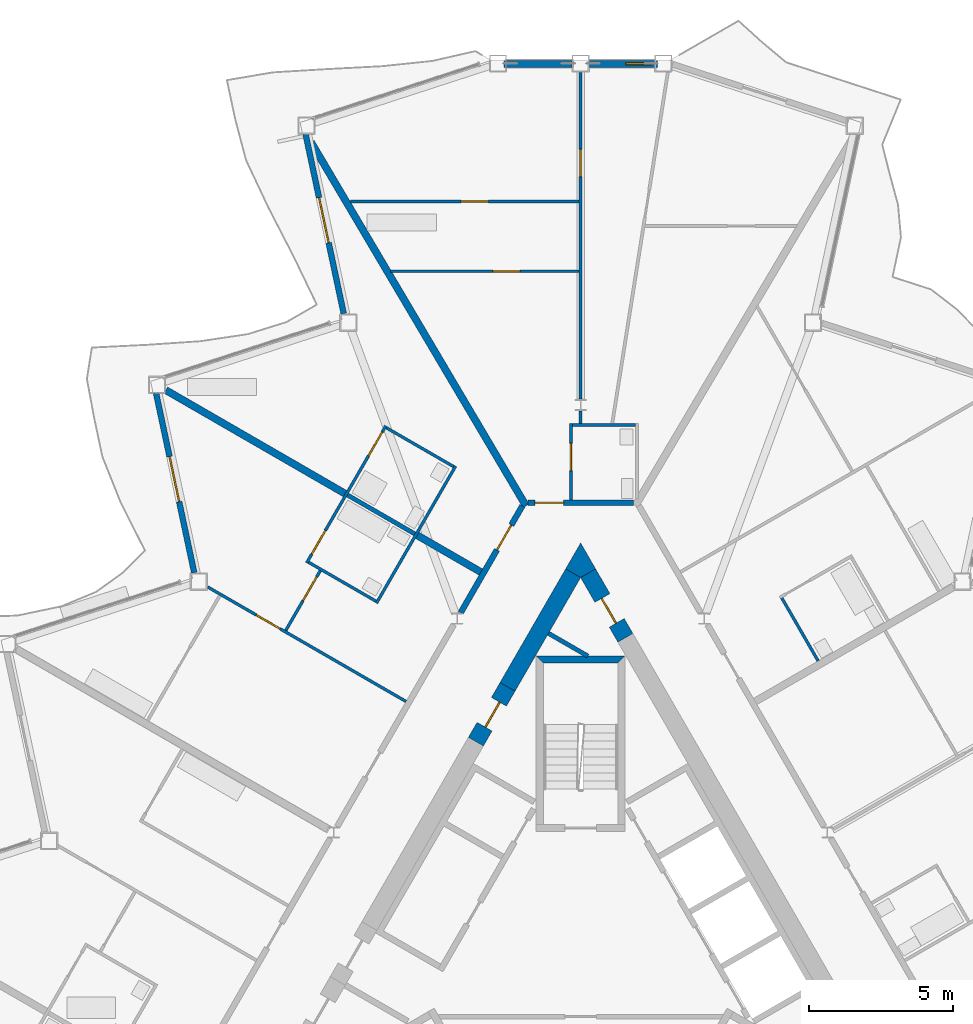
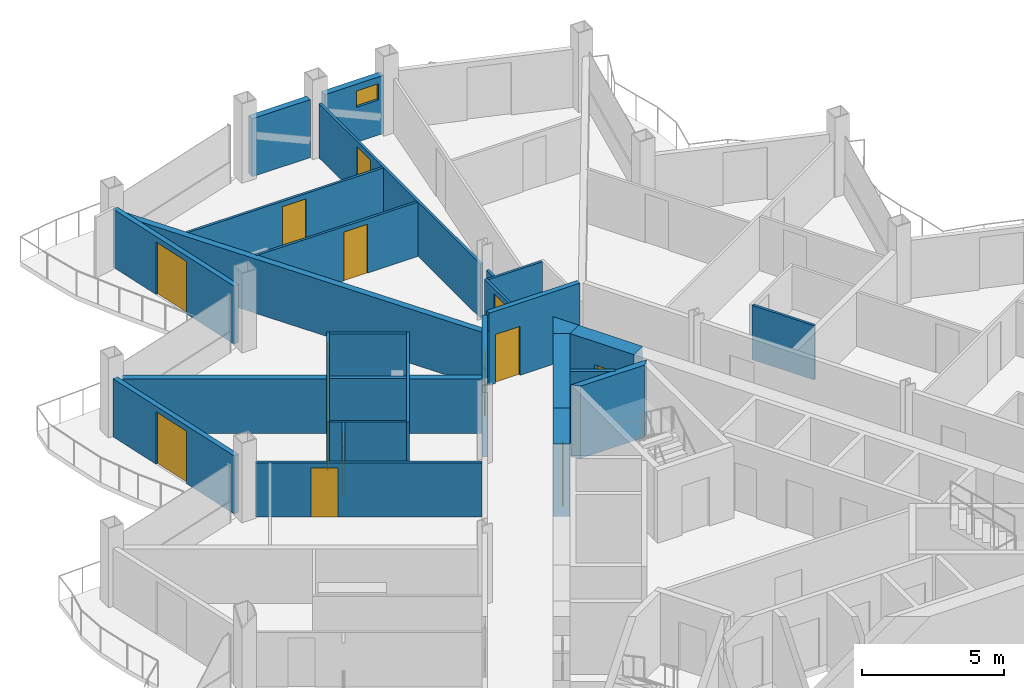
# One storey, part 18 of 27: 29 walls, 14 doors, 1 window, 15 openings.
"""IFC4 building model written with IfcOpenShell, lengths in metres."""

from ifc_helpers import new_model, si_unit, direction, frame, frame_2d, origin, place, context, subcontext, project, spatial, polyline, rectangle, outline, extrude, material, layer, layer_set, type_object, element, fill, save


model = new_model("IFC4")

# Units and contexts
model_context = context("Model", 3, precision=1e-05, world=origin(), true_north=direction((0.0, 1.0)))
body_context = subcontext(model_context, "Body", "Model", "MODEL_VIEW")
ifc_project = project(units=[si_unit("LENGTHUNIT", "METRE"), si_unit("AREAUNIT", "SQUARE_METRE"), si_unit("VOLUMEUNIT", "CUBIC_METRE"), si_unit("PLANEANGLEUNIT", "RADIAN"), si_unit("MASSUNIT", "GRAM", prefix="KILO")], contexts=[model_context])

# Site, building, storey
site_placement = place(None, origin())
site = spatial("IfcSite", under=ifc_project, at=site_placement, CompositionType="ELEMENT")
building_placement = place(site_placement, origin())
building = spatial("IfcBuilding", under=site, at=building_placement, Name="Cormorant Prow Tower", CompositionType="ELEMENT")
storey_placement = place(building_placement, frame((0.0, 0.0, 332.39990234375)))
storey = spatial("IfcBuildingStorey", under=building, at=storey_placement, Name="L74", CompositionType="ELEMENT", Elevation=332.39990234375)

# Walls
ifc_material_1 = material(Name="Gypsum board partition")
ifc_layer_1 = layer(ifc_material_1, 0.14990234375)
ifc_layer_set_1 = layer_set([ifc_layer_1], Name="Gypsum board partition")
wall_type_1 = type_object("IfcWallType", Name="Core partition 150", PredefinedType="PARTITIONING", material=ifc_layer_set_1)
wall_1_placement = place(storey_placement, frame((-1.119140625, 11.872802734375, 0.0), z_axis=(0.0, 0.0, 1.0), x_axis=(0.865992812752, -0.500056445075, 0.0)))
element("IfcWall", 1, at=wall_1_placement, inside=storey, type_object=wall_type_1, Name="Service room partition", PredefinedType="PARTITIONING", context=body_context, shape_type="SweptSolid", body=[
    extrude(rectangle(XDim=1.581787109375, YDim=0.14990234375, at=frame_2d((0.791015625, 0.0))), origin(), (0.0, 0.0, 1.0), 3.10009765625),
])
ifc_material_2 = material(Name="Concrete 8000 psi", Category="concrete")
ifc_layer_2 = layer(ifc_material_2, 0.60009765625)
ifc_layer_set_2 = layer_set([ifc_layer_2], Name="Concrete 8000 psi")
wall_type_2 = type_object("IfcWallType", Name="Core shear wall 600", PredefinedType="SHEAR", material=ifc_layer_set_2)
wall_2_placement = place(storey_placement, frame((-0.259765625, 13.961181640625, 0.0), z_axis=(0.0, 0.0, 1.0), x_axis=(-0.499980485389, -0.866036670257, 0.0)))
element("IfcWall", 2, at=wall_2_placement, inside=storey, type_object=wall_type_2, Name="Core wall", PredefinedType="SHEAR", context=body_context, shape_type="SweptSolid", body=[
    extrude(rectangle(XDim=4.559326171875, YDim=0.60009765625, at=frame_2d((2.27978515625, 0.0))), origin(), (0.0, 0.0, 1.0), 3.10009765625),
])
wall_3_placement = place(storey_placement, origin())
element("IfcWall", 3, at=wall_3_placement, inside=storey, type_object=wall_type_2, Name="Core wall corner", PredefinedType="SHEAR", context=body_context, shape_type="SweptSolid", body=[
    extrude(outline(polyline([(-0.51953125, 14.111083984375), (0.0, 15.010986328125), (0.51953125, 14.111083984375), (0.0, 13.81103515625), (-0.51953125, 14.111083984375)])), origin(), (0.0, 0.0, 1.0), 3.10009765625),
])

# Wall, opening, door
wall_4_placement = place(storey_placement, frame((-2.539306640625, 10.0126953125, 0.0), z_axis=(0.0, 0.0, 1.0), x_axis=(-0.50002983664, -0.866008176907, 0.0)))
wall_4 = element("IfcWall", 4, at=wall_4_placement, inside=storey, type_object=wall_type_2, Name="Core wall door panel", PredefinedType="SHEAR", context=body_context, shape_type="SweptSolid", body=[
    extrude(rectangle(XDim=2.199951171875, YDim=0.60009765625, at=frame_2d((1.10009765625, 0.0))), origin(), (0.0, 0.0, 1.0), 3.10009765625),
])
opening_1_placement = place(wall_4_placement, frame((0.60009765625, 0.0, 0.0)))
opening_1 = element("IfcOpeningElement", 5, at=opening_1_placement, cuts=wall_4, Name="Opening L74-C19", PredefinedType="OPENING", context=body_context, shape_type="SweptSolid", body=[
    extrude(rectangle(XDim=1.0, YDim=2.10009765625, at=frame_2d((0.5, 1.050048828125))), frame((0.0, 0.31005859375, 0.0), z_axis=(0.0, -1.0, 0.0), x_axis=(1.0, 0.0, 0.0)), (0.0, 0.0, 1.0), 0.6201171875),
])
ifc_material_3 = material(Name="Painted steel", Category="steel")
door_type_1 = type_object("IfcDoorType", Name="Service door 1000x2100", OperationType="NOTDEFINED", PredefinedType="DOOR", material=ifc_material_3)
door_1_placement = place(opening_1_placement, origin())
door_1 = element("IfcDoor", 6, at=door_1_placement, inside=storey, type_object=door_type_1, Name="Core door, Telecom room", OperationType="SINGLE_SWING_LEFT", OverallHeight=2.10009765625, OverallWidth=1.0, PredefinedType="DOOR", context=body_context, shape_type="SweptSolid", body=[
    extrude(rectangle(XDim=1.0, YDim=2.10009765625, at=frame_2d((0.5, 1.050048828125))), frame((0.0, 0.05517578125, 0.0), z_axis=(0.0, -1.0, 0.0), x_axis=(1.0, 0.0, 0.0)), (0.0, 0.0, 1.0), 0.050048828125),
])
fill(opening_1, door_1)

wall_5_placement = place(storey_placement, frame((1.555908203125, 11.71630859375, 0.0), z_axis=(0.0, 0.0, 1.0), x_axis=(-0.500018667571, 0.866014625789, 0.0)))
wall_5 = element("IfcWall", 7, at=wall_5_placement, inside=storey, type_object=wall_type_2, Name="Core wall door panel", PredefinedType="SHEAR", context=body_context, shape_type="SweptSolid", body=[
    extrude(rectangle(XDim=2.59228515625, YDim=0.60009765625, at=frame_2d((1.296142578125, 0.0))), origin(), (0.0, 0.0, 1.0), 3.10009765625),
])
opening_2_placement = place(wall_5_placement, frame((0.60009765625, 0.0, 0.0)))
opening_2 = element("IfcOpeningElement", 8, at=opening_2_placement, cuts=wall_5, Name="Opening L74-C20", PredefinedType="OPENING", context=body_context, shape_type="SweptSolid", body=[
    extrude(rectangle(XDim=1.0, YDim=2.10009765625, at=frame_2d((0.5, 1.050048828125))), frame((0.0, 0.31005859375, 0.0), z_axis=(0.0, -1.0, 0.0), x_axis=(1.0, 0.0, 0.0)), (0.0, 0.0, 1.0), 0.6201171875),
])
door_2_placement = place(opening_2_placement, origin())
door_2 = element("IfcDoor", 9, at=door_2_placement, inside=storey, type_object=door_type_1, Name="Core door, Pantry store", OperationType="SINGLE_SWING_RIGHT", OverallHeight=2.10009765625, OverallWidth=1.0, PredefinedType="DOOR", context=body_context, shape_type="SweptSolid", body=[
    extrude(rectangle(XDim=1.0, YDim=2.10009765625, at=frame_2d((0.5, 1.050048828125))), frame((0.0, 0.05517578125, 0.0), z_axis=(0.0, -1.0, 0.0), x_axis=(1.0, 0.0, 0.0)), (0.0, 0.0, 1.0), 0.050048828125),
])
fill(opening_2, door_2)

ifc_material_4 = material(Name="Gypsum board corridor wall")
ifc_layer_3 = layer(ifc_material_4, 0.199951171875)
ifc_layer_set_3 = layer_set([ifc_layer_3], Name="Gypsum board corridor wall")
wall_type_3 = type_object("IfcWallType", Name="Corridor wall 200", PredefinedType="PARTITIONING", material=ifc_layer_set_3)
wall_6_placement = place(storey_placement, frame((-4.169189453125, 12.589599609375, 0.0), z_axis=(0.0, 0.0, 1.0), x_axis=(0.499978750566, 0.866037671803, 0.0)))
wall_6 = element("IfcWall", 10, at=wall_6_placement, inside=storey, type_object=wall_type_3, Name="Corridor wall", PredefinedType="PARTITIONING", context=body_context, shape_type="SweptSolid", body=[
    extrude(rectangle(XDim=4.287841796875, YDim=0.199951171875, at=frame_2d((2.14404296875, 0.0))), origin(), (0.0, 0.0, 1.0), 3.10009765625),
])
opening_3_placement = place(wall_6_placement, frame((2.521484375, 0.0, 0.0)))
opening_3 = element("IfcOpeningElement", 11, at=opening_3_placement, cuts=wall_6, Name="Opening L74-F44", PredefinedType="OPENING", context=body_context, shape_type="SweptSolid", body=[
    extrude(rectangle(XDim=1.0, YDim=2.10009765625, at=frame_2d((0.5, 1.050048828125))), frame((0.0, 0.10986328125, 0.0), z_axis=(0.0, -1.0, 0.0), x_axis=(1.0, 0.0, 0.0)), (0.0, 0.0, 1.0), 0.219970703125),
])
ifc_material_5 = material(Name="Timber door leaf", Category="wood")
door_type_2 = type_object("IfcDoorType", Name="Flat or room entrance door 1000x2100", OperationType="NOTDEFINED", PredefinedType="DOOR", material=ifc_material_5)
door_3_placement = place(opening_3_placement, origin())
door_3 = element("IfcDoor", 12, at=door_3_placement, inside=storey, type_object=door_type_2, Name="Studio living, kitchen and sleeping room door", OperationType="SINGLE_SWING_LEFT", OverallHeight=2.10009765625, OverallWidth=1.0, PredefinedType="DOOR", context=body_context, shape_type="SweptSolid", body=[
    extrude(rectangle(XDim=1.0, YDim=2.10009765625, at=frame_2d((0.5, 1.050048828125))), frame((0.0, 0.02490234375, 0.0), z_axis=(0.0, -1.0, 0.0), x_axis=(1.0, 0.0, 0.0)), (0.0, 0.0, 1.0), 0.050048828125),
])
fill(opening_3, door_3)

wall_7_placement = place(storey_placement, frame((-1.837890625, 16.4111328125, 0.0), z_axis=(0.0, 0.0, 1.0), x_axis=(1.0, 0.0, 0.0)))
wall_7 = element("IfcWall", 13, at=wall_7_placement, inside=storey, type_object=wall_type_3, Name="Corridor wall", PredefinedType="PARTITIONING", context=body_context, shape_type="SweptSolid", body=[
    extrude(rectangle(XDim=3.67578125, YDim=0.199951171875, at=frame_2d((1.837890625, 0.0))), origin(), (0.0, 0.0, 1.0), 3.10009765625),
])
opening_4_placement = place(wall_7_placement, frame((0.25, 0.0, 0.0)))
opening_4 = element("IfcOpeningElement", 14, at=opening_4_placement, cuts=wall_7, Name="Opening L74-F37", PredefinedType="OPENING", context=body_context, shape_type="SweptSolid", body=[
    extrude(rectangle(XDim=1.0, YDim=2.10009765625, at=frame_2d((0.5, 1.050048828125))), frame((0.0, 0.10986328125, 0.0), z_axis=(0.0, -1.0, 0.0), x_axis=(1.0, 0.0, 0.0)), (0.0, 0.0, 1.0), 0.219970703125),
])
door_4_placement = place(opening_4_placement, origin())
door_4 = element("IfcDoor", 15, at=door_4_placement, inside=storey, type_object=door_type_2, Name="Living room door", OperationType="SINGLE_SWING_RIGHT", OverallHeight=2.10009765625, OverallWidth=1.0, PredefinedType="DOOR", context=body_context, shape_type="SweptSolid", body=[
    extrude(rectangle(XDim=1.0, YDim=2.10009765625, at=frame_2d((0.5, 1.050048828125))), frame((0.0, 0.02490234375, 0.0), z_axis=(0.0, -1.0, 0.0), x_axis=(1.0, 0.0, 0.0)), (0.0, 0.0, 1.0), 0.050048828125),
])
fill(opening_4, door_4)

ifc_material_6 = material(Name="Gypsum board partition")
ifc_layer_4 = layer(ifc_material_6, 0.10009765625)
ifc_layer_set_4 = layer_set([ifc_layer_4], Name="Gypsum board partition")
wall_type_4 = type_object("IfcWallType", Name="Internal partition 100", PredefinedType="PARTITIONING", material=ifc_layer_set_4)
wall_8_placement = place(storey_placement, frame((0.0, 20.018798828125, 0.0), z_axis=(0.0, 0.0, 1.0), x_axis=(0.0, 1.0, 0.0)))
wall_8 = element("IfcWall", 16, at=wall_8_placement, inside=storey, type_object=wall_type_4, Name="Internal partition", PredefinedType="PARTITIONING", context=body_context, shape_type="SweptSolid", body=[
    extrude(rectangle(XDim=11.347412109375, YDim=0.10009765625, at=frame_2d((5.673828125, 0.0))), origin(), (0.0, 0.0, 1.0), 2.330078125),
])
opening_5_placement = place(wall_8_placement, frame((7.723388671875, 0.0, 0.0)))
opening_5 = element("IfcOpeningElement", 17, at=opening_5_placement, cuts=wall_8, Name="Opening L74-F41", PredefinedType="OPENING", context=body_context, shape_type="SweptSolid", body=[
    extrude(rectangle(XDim=0.949951171875, YDim=2.10009765625, at=frame_2d((0.47509765625, 1.050048828125))), frame((0.0, 0.06005859375, 0.0), z_axis=(0.0, -1.0, 0.0), x_axis=(1.0, 0.0, 0.0)), (0.0, 0.0, 1.0), 0.1201171875),
])
ifc_material_7 = material(Name="Timber door leaf", Category="wood")
door_type_3 = type_object("IfcDoorType", Name="Bathroom door 950x2100", OperationType="NOTDEFINED", PredefinedType="DOOR", material=ifc_material_7)
door_5_placement = place(opening_5_placement, origin())
door_5 = element("IfcDoor", 18, at=door_5_placement, inside=storey, type_object=door_type_3, Name="Dining room door", OperationType="SINGLE_SWING_LEFT", OverallHeight=2.10009765625, OverallWidth=0.949951171875, PredefinedType="DOOR", context=body_context, shape_type="SweptSolid", body=[
    extrude(rectangle(XDim=0.949951171875, YDim=2.10009765625, at=frame_2d((0.47509765625, 1.050048828125))), frame((0.0, 0.02490234375, 0.0), z_axis=(0.0, -1.0, 0.0), x_axis=(1.0, 0.0, 0.0)), (0.0, 0.0, 1.0), 0.050048828125),
])
fill(opening_5, door_5)

wall_9_placement = place(storey_placement, frame((-12.9619140625, 13.483642578125, 0.0), z_axis=(0.0, 0.0, 1.0), x_axis=(0.866032392051, -0.499987895772, 0.0)))
wall_9 = element("IfcWall", 19, at=wall_9_placement, inside=storey, type_object=wall_type_4, Name="Internal partition", PredefinedType="PARTITIONING", context=body_context, shape_type="SweptSolid", body=[
    extrude(rectangle(XDim=7.961669921875, YDim=0.10009765625, at=frame_2d((3.98095703125, 0.0))), origin(), (0.0, 0.0, 1.0), 2.330078125),
])
opening_6_placement = place(wall_9_placement, frame((1.953125, 0.0, 0.0)))
opening_6 = element("IfcOpeningElement", 20, at=opening_6_placement, cuts=wall_9, Name="Opening L74-F48", PredefinedType="OPENING", context=body_context, shape_type="SweptSolid", body=[
    extrude(rectangle(XDim=0.949951171875, YDim=2.10009765625, at=frame_2d((0.47509765625, 1.050048828125))), frame((0.0, 0.06005859375, 0.0), z_axis=(0.0, -1.0, 0.0), x_axis=(1.0, 0.0, 0.0)), (0.0, 0.0, 1.0), 0.1201171875),
])
door_6_placement = place(opening_6_placement, origin())
door_6 = element("IfcDoor", 21, at=door_6_placement, inside=storey, type_object=door_type_3, Name="Living room door", OperationType="SINGLE_SWING_RIGHT", OverallHeight=2.10009765625, OverallWidth=0.949951171875, PredefinedType="DOOR", context=body_context, shape_type="SweptSolid", body=[
    extrude(rectangle(XDim=0.949951171875, YDim=2.10009765625, at=frame_2d((0.47509765625, 1.050048828125))), frame((0.0, 0.02490234375, 0.0), z_axis=(0.0, -1.0, 0.0), x_axis=(1.0, 0.0, 0.0)), (0.0, 0.0, 1.0), 0.050048828125),
])
fill(opening_6, door_6)

wall_10_placement = place(storey_placement, frame((-8.00537109375, 26.876708984375, 0.0), z_axis=(0.0, 0.0, 1.0), x_axis=(1.0, 0.0, 0.0)))
wall_10 = element("IfcWall", 22, at=wall_10_placement, inside=storey, type_object=wall_type_4, Name="Internal partition", PredefinedType="PARTITIONING", context=body_context, shape_type="SweptSolid", body=[
    extrude(rectangle(XDim=7.955322265625, YDim=0.10009765625, at=frame_2d((3.9775390625, 0.0))), origin(), (0.0, 0.0, 1.0), 2.330078125),
])
opening_7_placement = place(wall_10_placement, frame((3.85302734375, 0.0, 0.0)))
opening_7 = element("IfcOpeningElement", 23, at=opening_7_placement, cuts=wall_10, Name="Opening L74-F40", PredefinedType="OPENING", context=body_context, shape_type="SweptSolid", body=[
    extrude(rectangle(XDim=0.949951171875, YDim=2.10009765625, at=frame_2d((0.47509765625, 1.050048828125))), frame((0.0, 0.06005859375, 0.0), z_axis=(0.0, -1.0, 0.0), x_axis=(1.0, 0.0, 0.0)), (0.0, 0.0, 1.0), 0.1201171875),
])
door_7_placement = place(opening_7_placement, origin())
door_7 = element("IfcDoor", 24, at=door_7_placement, inside=storey, type_object=door_type_3, Name="Kitchen door", OperationType="SINGLE_SWING_RIGHT", OverallHeight=2.10009765625, OverallWidth=0.949951171875, PredefinedType="DOOR", context=body_context, shape_type="SweptSolid", body=[
    extrude(rectangle(XDim=0.949951171875, YDim=2.10009765625, at=frame_2d((0.47509765625, 1.050048828125))), frame((0.0, 0.02490234375, 0.0), z_axis=(0.0, -1.0, 0.0), x_axis=(1.0, 0.0, 0.0)), (0.0, 0.0, 1.0), 0.050048828125),
])
fill(opening_7, door_7)

wall_11_placement = place(storey_placement, frame((-6.607177734375, 24.455078125, 0.0), z_axis=(0.0, 0.0, 1.0), x_axis=(1.0, 0.0, 0.0)))
wall_11 = element("IfcWall", 25, at=wall_11_placement, inside=storey, type_object=wall_type_4, Name="Internal partition", PredefinedType="PARTITIONING", context=body_context, shape_type="SweptSolid", body=[
    extrude(rectangle(XDim=6.55712890625, YDim=0.10009765625, at=frame_2d((3.278564453125, 0.0))), origin(), (0.0, 0.0, 1.0), 2.330078125),
])
opening_8_placement = place(wall_11_placement, frame((3.5546875, 0.0, 0.0)))
opening_8 = element("IfcOpeningElement", 26, at=opening_8_placement, cuts=wall_11, Name="Opening L74-F39", PredefinedType="OPENING", context=body_context, shape_type="SweptSolid", body=[
    extrude(rectangle(XDim=0.949951171875, YDim=2.10009765625, at=frame_2d((0.47509765625, 1.050048828125))), frame((0.0, 0.06005859375, 0.0), z_axis=(0.0, -1.0, 0.0), x_axis=(1.0, 0.0, 0.0)), (0.0, 0.0, 1.0), 0.1201171875),
])
door_8_placement = place(opening_8_placement, origin())
door_8 = element("IfcDoor", 27, at=door_8_placement, inside=storey, type_object=door_type_3, Name="Living room door", OperationType="SINGLE_SWING_LEFT", OverallHeight=2.10009765625, OverallWidth=0.949951171875, PredefinedType="DOOR", context=body_context, shape_type="SweptSolid", body=[
    extrude(rectangle(XDim=0.949951171875, YDim=2.10009765625, at=frame_2d((0.47509765625, 1.050048828125))), frame((0.0, 0.02490234375, 0.0), z_axis=(0.0, -1.0, 0.0), x_axis=(1.0, 0.0, 0.0)), (0.0, 0.0, 1.0), 0.050048828125),
])
fill(opening_8, door_8)

# Wall
wall_12_placement = place(storey_placement, frame((-7.095458984375, 12.92138671875, 0.0), z_axis=(0.0, 0.0, 1.0), x_axis=(0.499996545922, 0.866027397988, 0.0)))
element("IfcWall", 28, at=wall_12_placement, inside=storey, type_object=wall_type_4, Name="Internal partition", PredefinedType="PARTITIONING", context=body_context, shape_type="SweptSolid", body=[
    extrude(rectangle(XDim=5.5, YDim=0.10009765625, at=frame_2d((2.75, 0.0))), origin(), (0.0, 0.0, 1.0), 2.330078125),
])

# Wall, openings, doors
wall_13_placement = place(storey_placement, frame((-9.520263671875, 14.3212890625, 0.0), z_axis=(0.0, 0.0, 1.0), x_axis=(0.49997732567, 0.866038494419, 0.0)))
wall_13 = element("IfcWall", 29, at=wall_13_placement, inside=storey, type_object=wall_type_4, Name="Internal partition", PredefinedType="PARTITIONING", context=body_context, shape_type="SweptSolid", body=[
    extrude(rectangle(XDim=5.500244140625, YDim=0.10009765625, at=frame_2d((2.75, 0.0))), origin(), (0.0, 0.0, 1.0), 2.330078125),
])
opening_9_placement = place(wall_13_placement, frame((4.300048828125, 0.0, 0.0)))
opening_9 = element("IfcOpeningElement", 30, at=opening_9_placement, cuts=wall_13, Name="Opening L74-F45", PredefinedType="OPENING", context=body_context, shape_type="SweptSolid", body=[
    extrude(rectangle(XDim=0.949951171875, YDim=2.10009765625, at=frame_2d((0.47509765625, 1.050048828125))), frame((0.0, 0.06005859375, 0.0), z_axis=(0.0, -1.0, 0.0), x_axis=(1.0, 0.0, 0.0)), (0.0, 0.0, 1.0), 0.1201171875),
])
opening_10_placement = place(wall_13_placement, frame((0.351318359375, 0.0, 0.0)))
opening_10 = element("IfcOpeningElement", 31, at=opening_10_placement, cuts=wall_13, Name="Opening L74-F50", PredefinedType="OPENING", context=body_context, shape_type="SweptSolid", body=[
    extrude(rectangle(XDim=0.949951171875, YDim=2.10009765625, at=frame_2d((0.47509765625, 1.050048828125))), frame((0.0, 0.06005859375, 0.0), z_axis=(0.0, -1.0, 0.0), x_axis=(1.0, 0.0, 0.0)), (0.0, 0.0, 1.0), 0.1201171875),
])
door_9_placement = place(opening_9_placement, origin())
door_9 = element("IfcDoor", 32, at=door_9_placement, inside=storey, type_object=door_type_3, Name="Studio living, kitchen and sleeping room door", OperationType="SINGLE_SWING_RIGHT", OverallHeight=2.10009765625, OverallWidth=0.949951171875, PredefinedType="DOOR", context=body_context, shape_type="SweptSolid", body=[
    extrude(rectangle(XDim=0.949951171875, YDim=2.10009765625, at=frame_2d((0.47509765625, 1.050048828125))), frame((0.0, 0.02490234375, 0.0), z_axis=(0.0, -1.0, 0.0), x_axis=(1.0, 0.0, 0.0)), (0.0, 0.0, 1.0), 0.050048828125),
])
fill(opening_9, door_9)
door_10_placement = place(opening_10_placement, origin())
door_10 = element("IfcDoor", 33, at=door_10_placement, inside=storey, type_object=door_type_3, Name="Bedroom door", OperationType="SINGLE_SWING_LEFT", OverallHeight=2.10009765625, OverallWidth=0.949951171875, PredefinedType="DOOR", context=body_context, shape_type="SweptSolid", body=[
    extrude(rectangle(XDim=0.949951171875, YDim=2.10009765625, at=frame_2d((0.47509765625, 1.050048828125))), frame((0.0, 0.02490234375, 0.0), z_axis=(0.0, -1.0, 0.0), x_axis=(1.0, 0.0, 0.0)), (0.0, 0.0, 1.0), 0.050048828125),
])
fill(opening_10, door_10)

# Walls
wall_14_placement = place(storey_placement, frame((-9.451904296875, 14.339599609375, 0.0), z_axis=(0.0, 0.0, 1.0), x_axis=(0.866036505625, -0.499980770555, 0.0)))
element("IfcWall", 34, at=wall_14_placement, inside=storey, type_object=wall_type_4, Name="Internal partition", PredefinedType="PARTITIONING", context=body_context, shape_type="SweptSolid", body=[
    extrude(rectangle(XDim=2.69970703125, YDim=0.10009765625, at=frame_2d((1.349853515625, 0.0))), origin(), (0.0, 0.0, 1.0), 2.330078125),
])
wall_15_placement = place(storey_placement, frame((-6.751953125, 19.016357421875, 0.0), z_axis=(0.0, 0.0, 1.0), x_axis=(0.86599734893, -0.500048589285, 0.0)))
element("IfcWall", 35, at=wall_15_placement, inside=storey, type_object=wall_type_4, Name="Internal partition", PredefinedType="PARTITIONING", context=body_context, shape_type="SweptSolid", body=[
    extrude(rectangle(XDim=2.699951171875, YDim=0.10009765625, at=frame_2d((1.35009765625, 0.0))), origin(), (0.0, 0.0, 1.0), 2.330078125),
])

# Wall, opening, door
wall_16_placement = place(storey_placement, frame((-0.3369140625, 16.510986328125, 0.0), z_axis=(0.0, 0.0, 1.0), x_axis=(0.0, 1.0, 0.0)))
wall_16 = element("IfcWall", 36, at=wall_16_placement, inside=storey, type_object=wall_type_4, Name="Internal partition", PredefinedType="PARTITIONING", context=body_context, shape_type="SweptSolid", body=[
    extrude(rectangle(XDim=2.650146484375, YDim=0.10009765625, at=frame_2d((1.3251953125, 0.0))), origin(), (0.0, 0.0, 1.0), 2.330078125),
])
opening_11_placement = place(wall_16_placement, frame((1.013671875, 0.0, 0.0)))
opening_11 = element("IfcOpeningElement", 37, at=opening_11_placement, cuts=wall_16, Name="Opening L74-F38", PredefinedType="OPENING", context=body_context, shape_type="SweptSolid", body=[
    extrude(rectangle(XDim=0.949951171875, YDim=2.10009765625, at=frame_2d((0.47509765625, 1.050048828125))), frame((0.0, 0.06005859375, 0.0), z_axis=(0.0, -1.0, 0.0), x_axis=(1.0, 0.0, 0.0)), (0.0, 0.0, 1.0), 0.1201171875),
])
door_11_placement = place(opening_11_placement, origin())
door_11 = element("IfcDoor", 38, at=door_11_placement, inside=storey, type_object=door_type_3, Name="Living room door", OperationType="SINGLE_SWING_RIGHT", OverallHeight=2.10009765625, OverallWidth=0.949951171875, PredefinedType="DOOR", context=body_context, shape_type="SweptSolid", body=[
    extrude(rectangle(XDim=0.949951171875, YDim=2.10009765625, at=frame_2d((0.47509765625, 1.050048828125))), frame((0.0, 0.02490234375, 0.0), z_axis=(0.0, -1.0, 0.0), x_axis=(1.0, 0.0, 0.0)), (0.0, 0.0, 1.0), 0.050048828125),
])
fill(opening_11, door_11)

# Wall
wall_17_placement = place(storey_placement, frame((6.99365234375, 13.097900390625, 0.0), z_axis=(0.0, 0.0, 1.0), x_axis=(0.499976333282, -0.866039067339, 0.0)))
element("IfcWall", 39, at=wall_17_placement, inside=storey, type_object=wall_type_4, Name="Internal partition", PredefinedType="PARTITIONING", context=body_context, shape_type="SweptSolid", body=[
    extrude(rectangle(XDim=2.52490234375, YDim=0.10009765625, at=frame_2d((1.262451171875, 0.0))), origin(), (0.0, 0.0, 1.0), 2.330078125),
])

# Wall, opening, door
wall_18_placement = place(storey_placement, frame((-10.24658203125, 11.9736328125, 0.0), z_axis=(0.0, 0.0, 1.0), x_axis=(0.499995825336, 0.866027814014, 0.0)))
wall_18 = element("IfcWall", 40, at=wall_18_placement, inside=storey, type_object=wall_type_4, Name="Internal partition", PredefinedType="PARTITIONING", context=body_context, shape_type="SweptSolid", body=[
    extrude(rectangle(XDim=2.396484375, YDim=0.10009765625, at=frame_2d((1.1982421875, 0.0))), origin(), (0.0, 0.0, 1.0), 2.330078125),
])
opening_12_placement = place(wall_18_placement, frame((1.1962890625, 0.0, 0.0)))
opening_12 = element("IfcOpeningElement", 41, at=opening_12_placement, cuts=wall_18, Name="Opening L74-F49", PredefinedType="OPENING", context=body_context, shape_type="SweptSolid", body=[
    extrude(rectangle(XDim=0.949951171875, YDim=2.10009765625, at=frame_2d((0.47509765625, 1.050048828125))), frame((0.0, 0.06005859375, 0.0), z_axis=(0.0, -1.0, 0.0), x_axis=(1.0, 0.0, 0.0)), (0.0, 0.0, 1.0), 0.1201171875),
])
door_12_placement = place(opening_12_placement, origin())
door_12 = element("IfcDoor", 42, at=door_12_placement, inside=storey, type_object=door_type_3, Name="Bedroom door", OperationType="SINGLE_SWING_RIGHT", OverallHeight=2.10009765625, OverallWidth=0.949951171875, PredefinedType="DOOR", context=body_context, shape_type="SweptSolid", body=[
    extrude(rectangle(XDim=0.949951171875, YDim=2.10009765625, at=frame_2d((0.47509765625, 1.050048828125))), frame((0.0, 0.02490234375, 0.0), z_axis=(0.0, -1.0, 0.0), x_axis=(1.0, 0.0, 0.0)), (0.0, 0.0, 1.0), 0.050048828125),
])
fill(opening_12, door_12)

# Walls
wall_19_placement = place(storey_placement, frame((-0.287109375, 19.111083984375, 0.0), z_axis=(0.0, 0.0, 1.0), x_axis=(1.0, 0.0, 0.0)))
element("IfcWall", 43, at=wall_19_placement, inside=storey, type_object=wall_type_4, Name="Internal partition", PredefinedType="PARTITIONING", context=body_context, shape_type="SweptSolid", body=[
    extrude(rectangle(XDim=2.2001953125, YDim=0.10009765625, at=frame_2d((1.10009765625, 0.0))), origin(), (0.0, 0.0, 1.0), 2.330078125),
])
wall_20_placement = place(storey_placement, frame((0.0, 19.1611328125, 0.0), z_axis=(0.0, 0.0, 1.0), x_axis=(0.0, 1.0, 0.0)))
element("IfcWall", 44, at=wall_20_placement, inside=storey, type_object=wall_type_4, Name="Internal partition", PredefinedType="PARTITIONING", context=body_context, shape_type="SweptSolid", body=[
    extrude(rectangle(XDim=0.4423828125, YDim=0.10009765625, at=frame_2d((0.22119140625, 0.0))), origin(), (0.0, 0.0, 1.0), 2.330078125),
])
ifc_material_8 = material(Name="Concrete 8000 psi", Category="concrete")
ifc_layer_5 = layer(ifc_material_8, 0.25)
ifc_layer_set_5 = layer_set([ifc_layer_5], Name="Concrete 8000 psi")
wall_type_5 = type_object("IfcWallType", Name="Stair wall 250", PredefinedType="SHEAR", material=ifc_layer_set_5)
wall_21_placement = place(storey_placement, origin())
element("IfcWall", 45, at=wall_21_placement, inside=storey, type_object=wall_type_5, Name="Stair ST3 enclosure wall (end)", PredefinedType="SHEAR", context=body_context, shape_type="SweptSolid", body=[
    extrude(outline(polyline([(1.5439453125, 11.0869140625), (-1.5439453125, 11.0869140625), (-1.2939453125, 10.8369140625), (1.2939453125, 10.8369140625), (1.5439453125, 11.0869140625)])), origin(), (0.0, 0.0, 1.0), 3.10009765625),
])
ifc_material_9 = material(Name="Acoustic gypsum party wall")
ifc_layer_6 = layer(ifc_material_9, 0.25)
ifc_layer_set_6 = layer_set([ifc_layer_6], Name="Acoustic gypsum party wall")
wall_type_6 = type_object("IfcWallType", Name="Suite party wall 250", PredefinedType="PARTITIONING", material=ifc_layer_set_6)
wall_22_placement = place(storey_placement, frame((-9.3681640625, 28.9375, 0.0), z_axis=(0.0, 0.0, 1.0), x_axis=(0.50889014825, -0.860831468416, 0.0)))
element("IfcWall", 46, at=wall_22_placement, inside=storey, type_object=wall_type_6, Name="Suite party wall", PredefinedType="PARTITIONING", context=body_context, shape_type="SweptSolid", body=[
    extrude(rectangle(XDim=14.676513671875, YDim=0.25, at=frame_2d((7.33837890625, 0.0))), origin(), (0.0, 0.0, 1.0), 2.330078125),
])
wall_23_placement = place(storey_placement, frame((-14.41650390625, 20.32373046875, 0.0), z_axis=(0.0, 0.0, 1.0), x_axis=(0.866019935355, -0.500009471477, 0.0)))
element("IfcWall", 47, at=wall_23_placement, inside=storey, type_object=wall_type_6, Name="Suite party wall", PredefinedType="PARTITIONING", context=body_context, shape_type="SweptSolid", body=[
    extrude(rectangle(XDim=7.191162109375, YDim=0.25, at=frame_2d((3.595703125, 0.0))), origin(), (0.0, 0.0, 1.0), 2.330078125),
])
wall_24_placement = place(storey_placement, frame((-5.67724609375, 15.278076171875, 0.0), z_axis=(0.0, 0.0, 1.0), x_axis=(0.866013403995, -0.500020783669, 0.0)))
element("IfcWall", 48, at=wall_24_placement, inside=storey, type_object=wall_type_6, Name="Suite party wall", PredefinedType="PARTITIONING", context=body_context, shape_type="SweptSolid", body=[
    extrude(rectangle(XDim=2.55029296875, YDim=0.25, at=frame_2d((1.275146484375, 0.0))), origin(), (0.0, 0.0, 1.0), 2.330078125),
])

# Wall, opening, window
ifc_material_10 = material(Name="Terracotta", Category="masonry")
ifc_layer_7 = layer(ifc_material_10, 0.25)
ifc_layer_set_7 = layer_set([ifc_layer_7], Name="Terracotta")
wall_type_7 = type_object("IfcWallType", Name="Terracotta bay wall 250", PredefinedType="SOLIDWALL", material=ifc_layer_set_7)
wall_25_placement = place(storey_placement, frame((2.6640625, 31.664306640625, 0.0), z_axis=(0.0, 0.0, 1.0), x_axis=(-1.0, 0.0, 0.0)))
wall_25 = element("IfcWall", 49, at=wall_25_placement, inside=storey, type_object=wall_type_7, Name="Terracotta bay wall N00", PredefinedType="SOLIDWALL", context=body_context, shape_type="SweptSolid", body=[
    extrude(rectangle(XDim=2.364013671875, YDim=0.25, at=frame_2d((1.18212890625, 0.0))), origin(), (0.0, 0.0, 1.0), 2.488037109375),
])
opening_13_placement = place(wall_25_placement, frame((0.199951171875, 0.0, 1.5)))
opening_13 = element("IfcOpeningElement", 50, at=opening_13_placement, cuts=wall_25, Name="Opening WN8", PredefinedType="OPENING", context=body_context, shape_type="SweptSolid", body=[
    extrude(rectangle(XDim=0.89990234375, YDim=0.699951171875, at=frame_2d((0.449951171875, 0.35009765625))), frame((0.0, 0.135009765625, 0.0), z_axis=(0.0, -1.0, 0.0), x_axis=(1.0, 0.0, 0.0)), (0.0, 0.0, 1.0), 0.27001953125),
])
ifc_material_11 = material(Name="Aluminium 6063-T6", Category="aluminium")
window_type = type_object("IfcWindowType", Name="Corner bay window 900x700", PartitioningType="SINGLE_PANEL", PredefinedType="WINDOW", material=ifc_material_11)
window_placement = place(opening_13_placement, origin())
window = element("IfcWindow", 51, at=window_placement, inside=storey, type_object=window_type, Name="Corner bay window N00", OverallHeight=0.699951171875, OverallWidth=0.89990234375, PartitioningType="SINGLE_PANEL", PredefinedType="WINDOW", context=body_context, shape_type="SweptSolid", body=[
    extrude(rectangle(XDim=0.89990234375, YDim=0.699951171875, at=frame_2d((0.449951171875, 0.35009765625))), frame((0.0, 0.030029296875, 0.0), z_axis=(0.0, -1.0, 0.0), x_axis=(1.0, 0.0, 0.0)), (0.0, 0.0, 1.0), 0.06005859375),
])
fill(opening_13, window)

# Wall
wall_26_placement = place(storey_placement, frame((-0.300048828125, 31.664306640625, 0.0), z_axis=(0.0, 0.0, 1.0), x_axis=(-1.0, 0.0, 0.0)))
element("IfcWall", 52, at=wall_26_placement, inside=storey, type_object=wall_type_7, Name="Terracotta bay wall N01", PredefinedType="SOLIDWALL", context=body_context, shape_type="SweptSolid", body=[
    extrude(rectangle(XDim=2.364013671875, YDim=0.25, at=frame_2d((1.18212890625, 0.0))), origin(), (0.0, 0.0, 1.0), 2.488037109375),
])

# Wall, opening, door
ifc_material_12 = material(Name="Terracotta", Category="masonry")
ifc_layer_8 = layer(ifc_material_12, 0.199951171875)
ifc_layer_set_8 = layer_set([ifc_layer_8], Name="Terracotta")
wall_type_8 = type_object("IfcWallType", Name="Terracotta jamb wall 200", PredefinedType="SOLIDWALL", material=ifc_layer_set_8)
wall_27_placement = place(storey_placement, frame((-9.56005859375, 29.224853515625, 0.0), z_axis=(0.0, 0.0, 1.0), x_axis=(0.207897219879, -0.978150676515, 0.0)))
wall_27 = element("IfcWall", 53, at=wall_27_placement, inside=storey, type_object=wall_type_8, Name="Terracotta jamb wall WNW01", PredefinedType="SOLIDWALL", context=body_context, shape_type="SweptSolid", body=[
    extrude(rectangle(XDim=6.376708984375, YDim=0.199951171875, at=frame_2d((3.1884765625, 0.0))), origin(), (0.0, 0.0, 1.0), 2.488037109375),
])
opening_14_placement = place(wall_27_placement, frame((2.26220703125, 0.0, 0.0)))
opening_14 = element("IfcOpeningElement", 54, at=opening_14_placement, cuts=wall_27, Name="Opening ED74.11", PredefinedType="OPENING", context=body_context, shape_type="SweptSolid", body=[
    extrude(rectangle(XDim=1.60009765625, YDim=2.25, at=frame_2d((0.800048828125, 1.125))), frame((0.0, 0.10986328125, 0.0), z_axis=(0.0, -1.0, 0.0), x_axis=(1.0, 0.0, 0.0)), (0.0, 0.0, 1.0), 0.219970703125),
])
ifc_material_13 = material(Name="Aluminium 6063-T6", Category="aluminium")
door_type_4 = type_object("IfcDoorType", Name="Balcony door 1600x2250", OperationType="DOUBLE_DOOR_SINGLE_SWING", PredefinedType="DOOR", material=ifc_material_13)
door_13_placement = place(opening_14_placement, origin())
door_13 = element("IfcDoor", 55, at=door_13_placement, inside=storey, type_object=door_type_4, Name="Balcony door WNW01 ED74.11", OperationType="DOUBLE_DOOR_SINGLE_SWING", OverallHeight=2.25, OverallWidth=1.60009765625, PredefinedType="DOOR", context=body_context, shape_type="SweptSolid", body=[
    extrude(rectangle(XDim=1.60009765625, YDim=2.25, at=frame_2d((0.800048828125, 1.125))), frame((0.0, 0.02490234375, 0.0), z_axis=(0.0, -1.0, 0.0), x_axis=(1.0, 0.0, 0.0)), (0.0, 0.0, 1.0), 0.050048828125),
])
fill(opening_14, door_13)

wall_28_placement = place(storey_placement, frame((-14.75634765625, 20.224853515625, 0.0), z_axis=(0.0, 0.0, 1.0), x_axis=(0.207888038934, -0.978152627798, 0.0)))
wall_28 = element("IfcWall", 56, at=wall_28_placement, inside=storey, type_object=wall_type_8, Name="Terracotta jamb wall WNW03", PredefinedType="SOLIDWALL", context=body_context, shape_type="SweptSolid", body=[
    extrude(rectangle(XDim=6.381591796875, YDim=0.199951171875, at=frame_2d((3.19091796875, 0.0))), origin(), (0.0, 0.0, 1.0), 2.488037109375),
])
opening_15_placement = place(wall_28_placement, frame((2.26220703125, 0.0, 0.0)))
opening_15 = element("IfcOpeningElement", 57, at=opening_15_placement, cuts=wall_28, Name="Opening ED74.12", PredefinedType="OPENING", context=body_context, shape_type="SweptSolid", body=[
    extrude(rectangle(XDim=1.60009765625, YDim=2.25, at=frame_2d((0.800048828125, 1.125))), frame((0.0, 0.10986328125, 0.0), z_axis=(0.0, -1.0, 0.0), x_axis=(1.0, 0.0, 0.0)), (0.0, 0.0, 1.0), 0.219970703125),
])
door_14_placement = place(opening_15_placement, origin())
door_14 = element("IfcDoor", 58, at=door_14_placement, inside=storey, type_object=door_type_4, Name="Balcony door WNW03 ED74.12", OperationType="DOUBLE_DOOR_SINGLE_SWING", OverallHeight=2.25, OverallWidth=1.60009765625, PredefinedType="DOOR", context=body_context, shape_type="SweptSolid", body=[
    extrude(rectangle(XDim=1.60009765625, YDim=2.25, at=frame_2d((0.800048828125, 1.125))), frame((0.0, 0.02490234375, 0.0), z_axis=(0.0, -1.0, 0.0), x_axis=(1.0, 0.0, 0.0)), (0.0, 0.0, 1.0), 0.050048828125),
])
fill(opening_15, door_14)

# Wall
ifc_material_14 = material(Name="Plasterboard wet wall with pipe chase")
ifc_layer_9 = layer(ifc_material_14, 0.14990234375)
ifc_layer_set_9 = layer_set([ifc_layer_9], Name="Plasterboard wet wall with pipe chase")
wall_type_9 = type_object("IfcWallType", Name="Wet wall 150", PredefinedType="PLUMBINGWALL", material=ifc_layer_set_9)
wall_29_placement = place(storey_placement, frame((-8.10205078125, 16.677978515625, 0.0), z_axis=(0.0, 0.0, 1.0), x_axis=(0.86599734893, -0.500048589285, 0.0)))
element("IfcWall", 59, at=wall_29_placement, inside=storey, type_object=wall_type_9, Name="Wet wall", PredefinedType="PLUMBINGWALL", context=body_context, shape_type="SweptSolid", body=[
    extrude(rectangle(XDim=2.699951171875, YDim=0.14990234375, at=frame_2d((1.35009765625, 0.0))), origin(), (0.0, 0.0, 1.0), 2.330078125),
])

save(model, "model.ifc")
